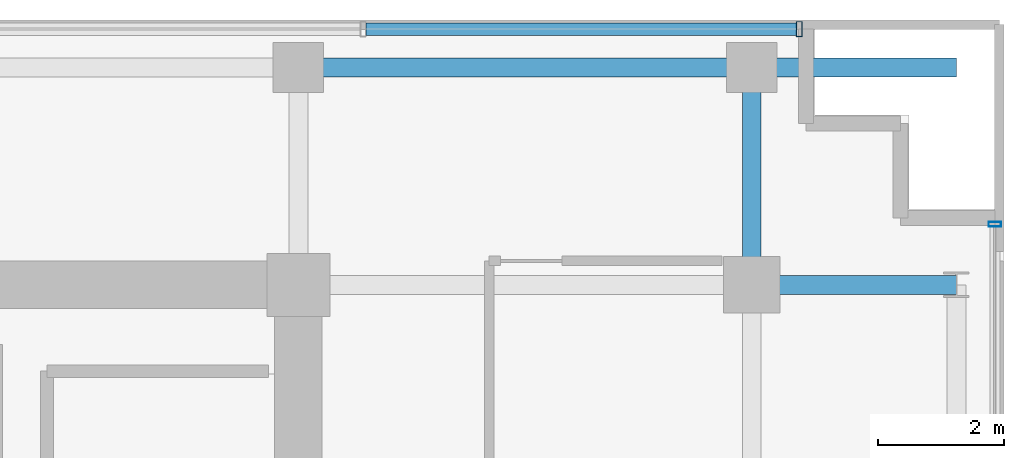
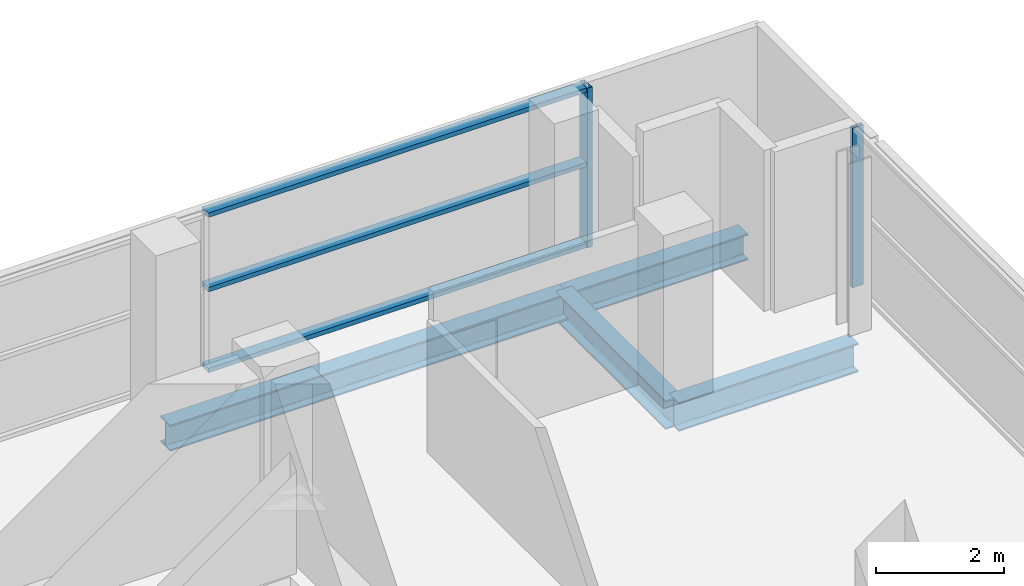
# One storey, part 18 of 28: 5 members, 4 beams, 2 elements without a shape of their own.
"""IFC4 building model written with IfcOpenShell, lengths in metres."""

from ifc_helpers import new_model, si_unit, direction, frame, origin, origin_2d, place, context, subcontext, project, spatial, hollow_rectangle, i_section, extrude, source, transform, mapped, material, layer, layer_set, material_profile, profile_set, type_object, element, aggregate, save


model = new_model("IFC4")

# Units and contexts
model_context = context("Model", 3, precision=1e-05, world=origin(), true_north=direction((0.0, 1.0)))
body_context = subcontext(model_context, "Body", "Model", "MODEL_VIEW")
ifc_project = project(units=[si_unit("LENGTHUNIT", "METRE"), si_unit("AREAUNIT", "SQUARE_METRE"), si_unit("VOLUMEUNIT", "CUBIC_METRE"), si_unit("PLANEANGLEUNIT", "RADIAN"), si_unit("MASSUNIT", "GRAM", prefix="KILO")], contexts=[model_context])

# Site, building, storey
site_placement = place(None, origin())
site = spatial("IfcSite", under=ifc_project, at=site_placement, CompositionType="ELEMENT")
building_placement = place(site_placement, origin())
building = spatial("IfcBuilding", under=site, at=building_placement, Name="Zarnakvel Exchange Tower", CompositionType="ELEMENT")
storey_placement = place(building_placement, frame((0.0, 0.0, 103.300048828125)))
storey = spatial("IfcBuildingStorey", under=building, at=storey_placement, Name="L28", CompositionType="ELEMENT", Elevation=103.300048828125)

# Beams
ifc_material_1 = material(Name="Steel S355", Category="steel")
ifc_material_profile_1 = material_profile(ifc_material_1, i_section(OverallWidth=0.300048828125, OverallDepth=0.550048828125, WebThickness=0.014892578125, FlangeThickness=0.029052734375, FilletRadius=0.027099609375, at=origin_2d()))
ifc_profile_set_1 = profile_set([ifc_material_profile_1], Name="Steel S355")
beam_type_1 = type_object("IfcBeamType", Name="G-05", PredefinedType="BEAM", material=ifc_profile_set_1)
beam_1_placement = place(storey_placement, frame((21.60009765625, 13.5, -0.5), z_axis=(1.0, 0.0, 0.0), x_axis=(0.0, 1.0, 0.0)))
element("IfcBeam", 1, at=beam_1_placement, inside=storey, type_object=beam_type_1, Name="L28 Tower E-W Frame Beam", PredefinedType="BEAM", context=body_context, shape_type="SweptSolid", body=[
    extrude(i_section(OverallWidth=0.300048828125, OverallDepth=0.550048828125, WebThickness=0.014892578125, FlangeThickness=0.029052734375, FilletRadius=0.027099609375, at=origin_2d()), origin(), (0.0, 0.0, 1.0), 3.25),
])
beam_2_placement = place(storey_placement, frame((21.60009765625, 13.5, -0.5), z_axis=(0.0, 1.0, 0.0), x_axis=(-1.0, 0.0, 0.0)))
element("IfcBeam", 2, at=beam_2_placement, inside=storey, type_object=beam_type_1, Name="L28 Tower N-S Frame Beam", PredefinedType="BEAM", context=body_context, shape_type="SweptSolid", body=[
    extrude(i_section(OverallWidth=0.300048828125, OverallDepth=0.550048828125, WebThickness=0.014892578125, FlangeThickness=0.029052734375, FilletRadius=0.027099609375, at=origin_2d()), origin(), (0.0, 0.0, 1.0), 3.449951171875),
])
ifc_material_profile_2 = material_profile(ifc_material_1, i_section(OverallWidth=0.300048828125, OverallDepth=0.5, WebThickness=0.014404296875, FlangeThickness=0.028076171875, FilletRadius=0.027099609375, at=origin_2d()))
ifc_profile_set_2 = profile_set([ifc_material_profile_2], Name="Steel S355")
beam_type_2 = type_object("IfcBeamType", Name="SP-02", PredefinedType="SPANDREL", material=ifc_profile_set_2)
beam_3_placement = place(storey_placement, frame((14.39990234375, 16.949951171875, -0.47509765625), z_axis=(1.0, 0.0, 0.0), x_axis=(0.0, 1.0, 0.0)))
element("IfcBeam", 3, at=beam_3_placement, inside=storey, type_object=beam_type_2, Name="L28 Tower E-W Frame Beam", PredefinedType="SPANDREL", context=body_context, shape_type="SweptSolid", body=[
    extrude(i_section(OverallWidth=0.300048828125, OverallDepth=0.5, WebThickness=0.014404296875, FlangeThickness=0.028076171875, FilletRadius=0.027099609375, at=origin_2d()), origin(), (0.0, 0.0, 1.0), 7.2001953125),
])
beam_4_placement = place(storey_placement, frame((21.60009765625, 16.949951171875, -0.47509765625), z_axis=(1.0, 0.0, 0.0), x_axis=(0.0, 1.0, 0.0)))
element("IfcBeam", 4, at=beam_4_placement, inside=storey, type_object=beam_type_2, Name="L28 North-East Corner Spandrel", PredefinedType="SPANDREL", context=body_context, shape_type="SweptSolid", body=[
    extrude(i_section(OverallWidth=0.300048828125, OverallDepth=0.5, WebThickness=0.014404296875, FlangeThickness=0.028076171875, FilletRadius=0.027099609375, at=origin_2d()), origin(), (0.0, 0.0, 1.0), 3.25),
])

# Curtain wall, member
ifc_material_2 = material(Name="Architectural Bronze Anodised Aluminium", Category="aluminium")
ifc_layer_1 = layer(ifc_material_2, 0.239990234375)
ifc_layer_set_1 = layer_set([ifc_layer_1], Name="Architectural Bronze Anodised Aluminium")
curtain_wall_type_1 = type_object("IfcCurtainWallType", Name="CW-02", PredefinedType="NOTDEFINED", material=ifc_layer_set_1)
curtain_wall_1_placement = place(storey_placement, origin())
curtain_wall_1 = element("IfcCurtainWall", 5, at=curtain_wall_1_placement, inside=storey, type_object=curtain_wall_type_1, Name="L28 Curtain Wall CW-L28-N1 (CW-02)", PredefinedType="NOTDEFINED")
ifc_material_profile_3 = material_profile(ifc_material_2, hollow_rectangle(XDim=0.239990234375, YDim=0.090087890625, WallThickness=0.006103515625, at=origin_2d()))
ifc_profile_set_3 = profile_set([ifc_material_profile_3], Name="Architectural Bronze Anodised Aluminium")
member_type_1 = type_object("IfcMemberType", Name="CWM-02", PredefinedType="MULLION", material=ifc_profile_set_3)
shared_shape_1 = source(origin(), body_context, "Body", "SweptSolid", [
    extrude(hollow_rectangle(XDim=0.239990234375, YDim=0.090087890625, WallThickness=0.006103515625, at=origin_2d()), origin(), (0.0, 0.0, 1.0), 3.054931640625),
])
member_1_placement = place(storey_placement, frame((22.35498046875, 17.56005859375, 0.0), z_axis=(0.0, 0.0, 1.0), x_axis=(0.0, 1.0, 0.0)))
member_1 = element("IfcMember", 6, at=member_1_placement, type_object=member_type_1, Name="CW-02 mullion 8", PredefinedType="MULLION", context=body_context, shape_type="MappedRepresentation", body=[
    mapped(shared_shape_1, transform((0.0, 0.0, 0.0), x_axis=(1.0, 0.0, 0.0), y_axis=(0.0, 1.0, 0.0), z_axis=(0.0, 0.0, 1.0), scale=1.0)),
])

ifc_layer_2 = layer(ifc_material_2, 0.199951171875)
ifc_layer_set_2 = layer_set([ifc_layer_2], Name="Architectural Bronze Anodised Aluminium")
curtain_wall_type_2 = type_object("IfcCurtainWallType", Name="CW-04", PredefinedType="NOTDEFINED", material=ifc_layer_set_2)
curtain_wall_2_placement = place(storey_placement, origin())
curtain_wall_2 = element("IfcCurtainWall", 7, at=curtain_wall_2_placement, inside=storey, type_object=curtain_wall_type_2, Name="L28 Curtain Wall CW-L28-E1 (CW-04)", PredefinedType="NOTDEFINED")
ifc_material_profile_4 = material_profile(ifc_material_2, hollow_rectangle(XDim=0.199951171875, YDim=0.074951171875, WallThickness=0.0048828125, at=origin_2d()))
ifc_profile_set_4 = profile_set([ifc_material_profile_4], Name="Architectural Bronze Anodised Aluminium")
member_type_2 = type_object("IfcMemberType", Name="CWM-04", PredefinedType="MULLION", material=ifc_profile_set_4)
shared_shape_2 = source(origin(), body_context, "Body", "SweptSolid", [
    extrude(hollow_rectangle(XDim=0.199951171875, YDim=0.074951171875, WallThickness=0.0048828125, at=origin_2d()), origin(), (0.0, 0.0, 1.0), 3.054931640625),
])
member_2_placement = place(storey_placement, frame((25.4599609375, 14.46240234375, 0.0), z_axis=(0.0, 0.0, 1.0), x_axis=(-1.0, 0.0, 0.0)))
member_2 = element("IfcMember", 8, at=member_2_placement, type_object=member_type_2, Name="CW-04 mullion 5", PredefinedType="MULLION", context=body_context, shape_type="MappedRepresentation", body=[
    mapped(shared_shape_2, transform((0.0, 0.0, 0.0), x_axis=(1.0, 0.0, 0.0), y_axis=(0.0, 1.0, 0.0), z_axis=(0.0, 0.0, 1.0), scale=1.0)),
])
aggregate(curtain_wall_2, [member_2])

# Member
ifc_material_profile_5 = material_profile(ifc_material_2, hollow_rectangle(XDim=0.199951171875, YDim=0.0849609375, WallThickness=0.0048828125, at=origin_2d()))
ifc_profile_set_5 = profile_set([ifc_material_profile_5], Name="Architectural Bronze Anodised Aluminium")
member_type_3 = type_object("IfcMemberType", Name="CWT-02", PredefinedType="USERDEFINED", material=ifc_profile_set_5)
shared_shape_3 = source(origin(), body_context, "Body", "SweptSolid", [
    extrude(hollow_rectangle(XDim=0.199951171875, YDim=0.0849609375, WallThickness=0.0048828125, at=origin_2d()), origin(), (0.0, 0.0, 1.0), 6.83642578125),
])
member_3_placement = place(storey_placement, frame((15.4736328125, 17.56005859375, 0.04248046875), z_axis=(1.0, 0.0, 0.0), x_axis=(0.0, 1.0, 0.0)))
member_3 = element("IfcMember", 9, at=member_3_placement, type_object=member_type_3, Name="CW-02 transom 7.1", ObjectType="TRANSOM", PredefinedType="USERDEFINED", context=body_context, shape_type="MappedRepresentation", body=[
    mapped(shared_shape_3, transform((0.0, 0.0, 0.0), x_axis=(1.0, 0.0, 0.0), y_axis=(0.0, 1.0, 0.0), z_axis=(0.0, 0.0, 1.0), scale=1.0)),
])

member_4_placement = place(storey_placement, frame((15.4736328125, 17.56005859375, 1.588623046875), z_axis=(1.0, 0.0, 0.0), x_axis=(0.0, 1.0, 0.0)))
member_4 = element("IfcMember", 10, at=member_4_placement, type_object=member_type_3, Name="CW-02 transom 7.2", ObjectType="TRANSOM", PredefinedType="USERDEFINED", context=body_context, shape_type="MappedRepresentation", body=[
    mapped(shared_shape_3, transform((0.0, 0.0, 0.0), x_axis=(1.0, 0.0, 0.0), y_axis=(0.0, 1.0, 0.0), z_axis=(0.0, 0.0, 1.0), scale=1.0)),
])

member_5_placement = place(storey_placement, frame((15.4736328125, 17.56005859375, 3.012451171875), z_axis=(1.0, 0.0, 0.0), x_axis=(0.0, 1.0, 0.0)))
member_5 = element("IfcMember", 11, at=member_5_placement, type_object=member_type_3, Name="CW-02 transom 7.3", ObjectType="TRANSOM", PredefinedType="USERDEFINED", context=body_context, shape_type="MappedRepresentation", body=[
    mapped(shared_shape_3, transform((0.0, 0.0, 0.0), x_axis=(1.0, 0.0, 0.0), y_axis=(0.0, 1.0, 0.0), z_axis=(0.0, 0.0, 1.0), scale=1.0)),
])

aggregate(curtain_wall_1, [member_1, member_3, member_4, member_5])

save(model, "model.ifc")
